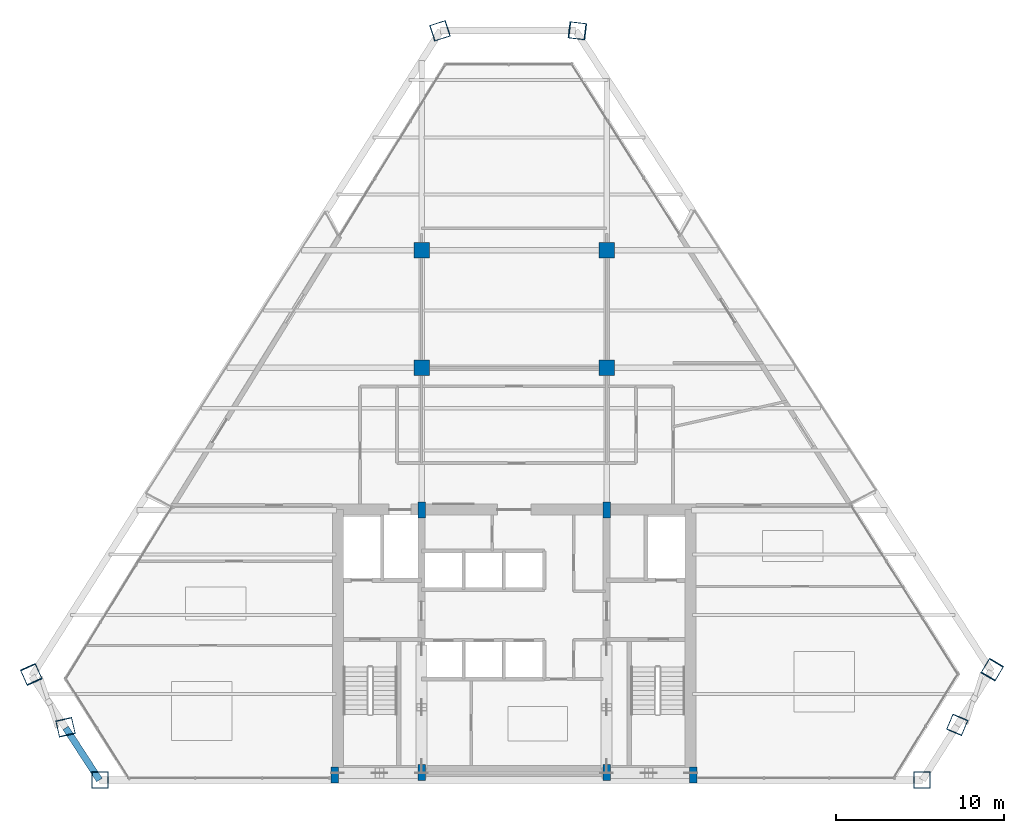
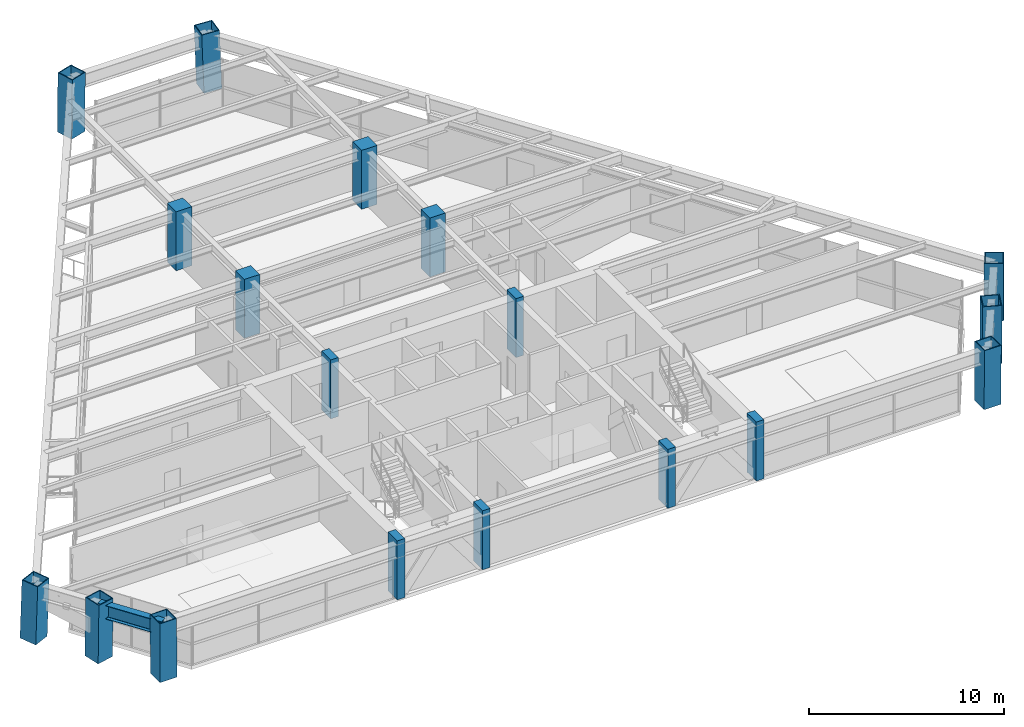
# One storey, part 1 of 15: 18 columns, 1 beam.
"""IFC4 building model written with IfcOpenShell, lengths in metres."""

import ifcopenshell
import ifcopenshell.guid

model = None  # the IFC model being written
_history = None  # IfcOwnerHistory: only IFC2X3 demands one
_inside = {}  # id of a spatial element -> (the spatial element, [elements in it])
_under = {}  # id of a project, library or spatial element -> (it, [spatial elements below it])
_declared = {}  # id of a project -> (the project, [libraries it declares])
_typed = {}  # id of a type object -> (the type object, [elements of that type])
_made_of = {}  # id of a material, layer set ... -> (it, [elements and type objects made of it])


def new_model(schema):
    """Start an empty IFC model of exactly this schema.

    Asked for "IFC4X3", IfcOpenShell would pick the latest addendum, in which some entities
    have other attributes; the version numbers below select the first issue.
    IFC2X3 requires an IfcOwnerHistory on every rooted entity: one is made here for all.
    """
    global model, _history
    if schema == "IFC4X3":
        model = ifcopenshell.file(schema_version=(4, 3, 0, 0))
    else:
        model = ifcopenshell.file(schema=schema)
    _inside.clear()
    _under.clear()
    _declared.clear()
    _typed.clear()
    _made_of.clear()
    _history = None
    if model.schema == "IFC2X3":
        org = make("IfcOrganization", Name="unknown")
        user = make(
            "IfcPersonAndOrganization",
            ThePerson=make("IfcPerson", FamilyName="unknown"),
            TheOrganization=org,
        )
        app = make(
            "IfcApplication",
            ApplicationDeveloper=org,
            Version="unknown",
            ApplicationFullName="unknown",
            ApplicationIdentifier="unknown",
        )
        _history = make(
            "IfcOwnerHistory",
            OwningUser=user,
            OwningApplication=app,
            ChangeAction="ADDED",
            CreationDate=0,
        )
    return model


def make(cls, **values):
    """One entity of the class cls with the attributes given. An attribute that is None is left unset."""
    return model.create_entity(
        cls, **{name: value for name, value in values.items() if value is not None}
    )


def rooted(cls, **values):
    """An entity with a GlobalId (a new one), such as an element, a storey or a relation."""
    return make(cls, GlobalId=ifcopenshell.guid.new(), OwnerHistory=_history, **values)


def si_unit(unit_type, name, prefix=None):
    """IfcSIUnit, for example si_unit("LENGTHUNIT", "METRE", prefix="MILLI")."""
    return make("IfcSIUnit", UnitType=unit_type, Prefix=prefix, Name=name)


def assignment(units):
    """IfcUnitAssignment: the units of a project."""
    return None if units is None else make("IfcUnitAssignment", Units=units)


def point(xyz):
    """IfcCartesianPoint."""
    return None if xyz is None else make("IfcCartesianPoint", Coordinates=xyz)


def direction(xyz):
    """IfcDirection."""
    return None if xyz is None else make("IfcDirection", DirectionRatios=xyz)


def frame(location, z_axis=None, x_axis=None):
    """IfcAxis2Placement3D, a coordinate frame: its origin and axes. An axis left out is left unset."""
    return make(
        "IfcAxis2Placement3D",
        Location=point(location),
        Axis=direction(z_axis),
        RefDirection=direction(x_axis),
    )


def frame_2d(location, x_axis=None):
    """IfcAxis2Placement2D, a coordinate frame in the plane: its origin and x axis."""
    return make(
        "IfcAxis2Placement2D", Location=point(location), RefDirection=direction(x_axis)
    )


def origin():
    """The frame at (0, 0, 0) with its axes left unset."""
    return frame((0.0, 0.0, 0.0))


def origin_2d():
    """The frame at (0, 0) in the plane with its x axis left unset."""
    return frame_2d((0.0, 0.0))


def place(relative_to, where):
    """IfcLocalPlacement: puts the frame where relative to a parent placement (None: the world)."""
    return make(
        "IfcLocalPlacement", PlacementRelTo=relative_to, RelativePlacement=where
    )


def context(
    kind, dimensions, precision=None, world=None, true_north=None, identifier=None
):
    """IfcGeometricRepresentationContext, for example the 3D "Model" context."""
    return make(
        "IfcGeometricRepresentationContext",
        ContextIdentifier=identifier,
        ContextType=kind,
        CoordinateSpaceDimension=dimensions,
        Precision=precision,
        WorldCoordinateSystem=world,
        TrueNorth=true_north,
    )


def subcontext(parent, identifier, kind, view, scale=None):
    """IfcGeometricRepresentationSubContext, for example "Body" below "Model"."""
    return make(
        "IfcGeometricRepresentationSubContext",
        ContextIdentifier=identifier,
        ContextType=kind,
        ParentContext=parent,
        TargetScale=scale,
        TargetView=view,
    )


def project(units=None, contexts=None):
    """IfcProject with its units and contexts."""
    return rooted(
        "IfcProject",
        Name="project",
        RepresentationContexts=contexts,
        UnitsInContext=assignment(units),
    )


def spatial(cls, under=None, at=None, **own):
    """A site, building, storey or space (cls), placed at a placement, below another one or the project."""
    s = rooted(cls, ObjectPlacement=at, **own)
    if under is not None:
        _under.setdefault(under.id(), (under, []))[1].append(s)
    return s


def profile(cls, at=None, kind="AREA", **sizes):
    """A parametric profile (cls). Its sizes go by their IFC names, for example OverallWidth=200.0."""
    return make(cls, ProfileType=kind, Position=at, **sizes)


def rectangle(**sizes):
    """IfcRectangleProfileDef."""
    return profile("IfcRectangleProfileDef", **sizes)


def hollow_rectangle(**sizes):
    """IfcRectangleHollowProfileDef."""
    return profile("IfcRectangleHollowProfileDef", **sizes)


def i_section(**sizes):
    """IfcIShapeProfileDef."""
    return profile("IfcIShapeProfileDef", **sizes)


def extrude(swept, where, along, depth):
    """IfcExtrudedAreaSolid: the profile swept, set in the frame where, extruded along a direction by depth."""
    return make(
        "IfcExtrudedAreaSolid",
        SweptArea=swept,
        Position=where,
        ExtrudedDirection=direction(along),
        Depth=depth,
    )


def shape(context_of_items, identifier, shape_type, items):
    """IfcShapeRepresentation: the items that make up one representation, for example the "Body"."""
    return make(
        "IfcShapeRepresentation",
        ContextOfItems=context_of_items,
        RepresentationIdentifier=identifier,
        RepresentationType=shape_type,
        Items=items,
    )


def source(mapping_origin, context_of_items, identifier, shape_type, items):
    """IfcRepresentationMap: a shape defined once, which mapped items show again and again."""
    return make(
        "IfcRepresentationMap",
        MappingOrigin=mapping_origin,
        MappedRepresentation=shape(context_of_items, identifier, shape_type, items),
    )


def transform(
    local_origin,
    x_axis=None,
    y_axis=None,
    z_axis=None,
    scale=None,
    scale2=None,
    scale3=None,
    uniform=True,
):
    """IfcCartesianTransformationOperator3D, or its non-uniform kind. x_axis, y_axis, z_axis: its Axis1, 2, 3."""
    if uniform:
        return make(
            "IfcCartesianTransformationOperator3D",
            Axis1=direction(x_axis),
            Axis2=direction(y_axis),
            LocalOrigin=point(local_origin),
            Scale=scale,
            Axis3=direction(z_axis),
        )
    return make(
        "IfcCartesianTransformationOperator3DnonUniform",
        Axis1=direction(x_axis),
        Axis2=direction(y_axis),
        LocalOrigin=point(local_origin),
        Scale=scale,
        Axis3=direction(z_axis),
        Scale2=scale2,
        Scale3=scale3,
    )


def mapped(mapping_source, mapping_target):
    """IfcMappedItem: shows the shape of a source again, moved by a transform."""
    return make(
        "IfcMappedItem", MappingSource=mapping_source, MappingTarget=mapping_target
    )


def material(Name=None, Category=None):
    """IfcMaterial."""
    return make("IfcMaterial", Name=Name, Category=Category)


def material_profile(
    of_material, cross_section, Name=None, Category=None, Priority=None
):
    """IfcMaterialProfile: a cross section and its material."""
    return make(
        "IfcMaterialProfile",
        Name=Name,
        Material=of_material,
        Profile=cross_section,
        Priority=Priority,
        Category=Category,
    )


def profile_set(profiles, Name=None, composite=None):
    """IfcMaterialProfileSet."""
    return make(
        "IfcMaterialProfileSet",
        Name=Name,
        MaterialProfiles=profiles,
        CompositeProfile=composite,
    )


def made_of(thing, what):
    """Note that an element or type object is made of a material, layer set ...; save() writes the relation."""
    if what is not None:
        _made_of.setdefault(what.id(), (what, []))[1].append(thing)
    return thing


def type_object(cls, material=None, **own):
    """A type object (cls), such as IfcWallType, which elements share."""
    return made_of(rooted(cls, **own), material)


def type_shapes(of_type, sources):
    """Give a type object the sources (RepresentationMaps) that its elements show as mapped items."""
    of_type.RepresentationMaps = sources


def element(
    cls,
    number,
    at=None,
    inside=None,
    cuts=None,
    type_object=None,
    material=None,
    context=None,
    identifier="Body",
    shape_type=None,
    held_by="IfcProductDefinitionShape",
    body=None,
    shapes=None,
    **own,
):
    """One element of the class cls, such as IfcWall. Its Tag is "e" and its number.

    at: its placement. inside: the storey or other place that contains it. cuts: it is an
    opening in that element (IfcRelVoidsElement). A single representation is given by context,
    identifier, shape_type and body (its items); several are given by shapes. held_by: the class
    of the entity that holds the representations. save() writes the other relations.
    """
    e = rooted(cls, Tag="e%d" % number, ObjectPlacement=at, **own)
    if body is not None:
        shapes = [shape(context, identifier, shape_type, body)]
    if shapes is not None:
        e.Representation = make(held_by, Representations=shapes)
    if inside is not None:
        _inside.setdefault(inside.id(), (inside, []))[1].append(e)
    if cuts is not None:
        rooted(
            "IfcRelVoidsElement", RelatingBuildingElement=cuts, RelatedOpeningElement=e
        )
    if type_object is not None:
        _typed.setdefault(type_object.id(), (type_object, []))[1].append(e)
    return made_of(e, material)


def aggregate(whole, parts):
    """IfcRelAggregates: a whole, such as a stair, and the parts it consists of."""
    return rooted("IfcRelAggregates", RelatingObject=whole, RelatedObjects=parts)


def save(model, path):
    """Write the relations noted so far, then the file.

    IfcRelAggregates (storeys below a building ...), IfcRelContainedInSpatialStructure (elements
    in a storey), IfcRelDefinesByType, IfcRelAssociatesMaterial and IfcRelDeclares: one each for
    every whole, place, type object, material and project.
    """
    for whole, parts in _under.values():
        aggregate(whole, parts)
    for where, things in _inside.values():
        rooted(
            "IfcRelContainedInSpatialStructure",
            RelatedElements=things,
            RelatingStructure=where,
        )
    for kind, things in _typed.values():
        rooted("IfcRelDefinesByType", RelatedObjects=things, RelatingType=kind)
    for what, things in _made_of.values():
        rooted("IfcRelAssociatesMaterial", RelatedObjects=things, RelatingMaterial=what)
    for by, libraries in _declared.values():
        rooted("IfcRelDeclares", RelatingContext=by, RelatedDefinitions=libraries)
    model.write(path)


model = new_model("IFC4")

# Units and contexts
model_context = context("Model", 3, precision=1e-05, world=origin(), true_north=direction((0.0, 1.0)))
body_context = subcontext(model_context, "Body", "Model", "MODEL_VIEW")
ifc_project = project(units=[si_unit("LENGTHUNIT", "METRE"), si_unit("AREAUNIT", "SQUARE_METRE"), si_unit("VOLUMEUNIT", "CUBIC_METRE"), si_unit("PLANEANGLEUNIT", "RADIAN"), si_unit("MASSUNIT", "GRAM", prefix="KILO")], contexts=[model_context])

# Site, building, storey
site_placement = place(None, origin())
site = spatial("IfcSite", under=ifc_project, at=site_placement, CompositionType="ELEMENT")
building_placement = place(site_placement, origin())
building = spatial("IfcBuilding", under=site, at=building_placement, Name="Varnakhor Terracotta Tower", CompositionType="ELEMENT")
storey_placement = place(building_placement, frame((0.0, 0.0, 189.5)))
storey = spatial("IfcBuildingStorey", under=building, at=storey_placement, Name="L48", CompositionType="ELEMENT", Elevation=189.5)

# Columns
ifc_material_1 = material(Name="Concrete C50/60", Category="concrete")
ifc_material_profile_1 = material_profile(ifc_material_1, rectangle(XDim=0.449951171875, YDim=0.949951171875, at=origin_2d()), Name="RC PILASTER 950x450")
ifc_profile_set_1 = profile_set([ifc_material_profile_1], Name="Concrete C50/60")
column_type_1 = type_object("IfcColumnType", Name="COL-PIL-950x450", PredefinedType="PILASTER", material=ifc_profile_set_1)
shared_shape_1 = source(origin(), body_context, "Body", "SweptSolid", [
    extrude(rectangle(XDim=0.449951171875, YDim=0.949951171875, at=origin_2d()), origin(), (0.0, 0.0, 1.0), 3.699951171875),
])
for number, where, z_axis, x_axis, name in (
    (1, (-10.64990234375, 0.300048828125, 0.0), (0.0, 0.0, 1.0), (1.0, 0.0, 0.0), "L48 Core Pilaster CP1"),
    (2, (-5.5, 0.449951171875, 0.0), (0.0, 0.0, 1.0), (1.0, 0.0, 0.0), "L48 Core Pilaster CP2"),
    (3, (5.5, 0.449951171875, 0.0), (0.0, 0.0, 1.0), (1.0, 0.0, 0.0), "L48 Core Pilaster CP3"),
    (4, (10.64990234375, 0.300048828125, 0.0), (0.0, 0.0, 1.0), (1.0, 0.0, 0.0), "L48 Core Pilaster CP4"),
    (5, (-5.5, 16.050048828125, 0.0), (0.0, 0.0, 1.0), (1.0, 0.0, 0.0), "L48 Core Pilaster CP5"),
    (6, (5.5, 16.050048828125, 0.0), (0.0, 0.0, 1.0), (1.0, 0.0, 0.0), "L48 Core Pilaster CP6"),
):
    element("IfcColumn", number, at=place(storey_placement, frame(where, z_axis=z_axis, x_axis=x_axis)), inside=storey, type_object=column_type_1, Name=name, PredefinedType="PILASTER", context=body_context, shape_type="MappedRepresentation", body=[
        mapped(shared_shape_1, transform((0.0, 0.0, 0.0), scale=1.0)),
    ])
ifc_material_profile_2 = material_profile(ifc_material_1, rectangle(XDim=0.919921875, YDim=0.919921875, at=origin_2d()), Name="RC 920x920")
ifc_profile_set_2 = profile_set([ifc_material_profile_2], Name="Concrete C50/60")
column_type_2 = type_object("IfcColumnType", Name="COL-RC-920", PredefinedType="COLUMN", material=ifc_profile_set_2)
shared_shape_2 = source(origin(), body_context, "Body", "SweptSolid", [
    extrude(rectangle(XDim=0.919921875, YDim=0.919921875, at=origin_2d()), origin(), (0.0, 0.0, 1.0), 3.699951171875),
])
for number, where, z_axis, x_axis, name in (
    (7, (-5.5, 24.5, 0.0), (0.0, 0.0, 1.0), (1.0, 0.0, 0.0), "L48 Interior Tower Column IC1"),
    (8, (5.5, 24.5, 0.0), (0.0, 0.0, 1.0), (1.0, 0.0, 0.0), "L48 Interior Tower Column IC2"),
    (9, (-5.5, 31.5, 0.0), (0.0, 0.0, 1.0), (1.0, 0.0, 0.0), "L48 Interior Tower Column IC3"),
    (10, (5.5, 31.5, 0.0), (0.0, 0.0, 1.0), (1.0, 0.0, 0.0), "L48 Interior Tower Column IC4"),
):
    element("IfcColumn", number, at=place(storey_placement, frame(where, z_axis=z_axis, x_axis=x_axis)), inside=storey, type_object=column_type_2, Name=name, PredefinedType="COLUMN", context=body_context, shape_type="MappedRepresentation", body=[
        mapped(shared_shape_2, transform((0.0, 0.0, 0.0), scale=1.0)),
    ])
ifc_material_2 = material(Name="Steel S460", Category="steel")
ifc_material_profile_3 = material_profile(ifc_material_2, hollow_rectangle(XDim=1.0, YDim=1.0, WallThickness=0.050048828125, at=origin_2d()), Name="BOX 1000x1000x50")
ifc_profile_set_3 = profile_set([ifc_material_profile_3], Name="Steel S460")
column_type_3 = type_object("IfcColumnType", Name="COL-MEGA-1000", PredefinedType="COLUMN", material=ifc_profile_set_3)
shared_shape_3 = source(origin(), body_context, "Body", "SweptSolid", [
    extrude(hollow_rectangle(XDim=1.0, YDim=1.0, WallThickness=0.050048828125, at=origin_2d()), origin(), (0.0, 0.0, 1.0), 3.69140625),
])
type_shapes(column_type_3, [shared_shape_3])
column_placement = place(storey_placement, frame((-4.41162109375, 44.53564453125, 0.00439453125), z_axis=(0.012830372399, 0.004100428292, 0.999909279901), x_axis=(-0.304419392988, 0.952538100641, 0.0)))
element("IfcColumn", 11, at=column_placement, inside=storey, type_object=column_type_3, Name="L48 Perimeter Mega-Column M6", PredefinedType="COLUMN", context=body_context, shape_type="MappedRepresentation", body=[
    mapped(shared_shape_3, transform((0.0, 0.0, 0.0), scale=1.0)),
])
shared_shape_4 = source(origin(), body_context, "Body", "SweptSolid", [
    extrude(hollow_rectangle(XDim=1.0, YDim=1.0, WallThickness=0.050048828125, at=origin_2d()), origin(), (0.0, 0.0, 1.0), 3.691162109375),
])
for number, where, z_axis, x_axis, name in (
    (12, (-24.6220703125, 0.0, 0.00439453125), (-0.006878599086, 0.0, 0.999976342157), (0.0, -1.0, 0.0), "L48 Perimeter Mega-Column M1"),
    (13, (24.257568359375, 0.0, 0.00439453125), (0.005026723977, 0.0, 0.999987365943), (0.0, 1.0, 0.0), "L48 Perimeter Mega-Column M2"),
):
    element("IfcColumn", number, at=place(storey_placement, frame(where, z_axis=z_axis, x_axis=x_axis)), inside=storey, type_object=column_type_3, Name=name, PredefinedType="COLUMN", context=body_context, shape_type="MappedRepresentation", body=[
        mapped(shared_shape_4, transform((0.0, 0.0, 0.0), scale=1.0)),
    ])
shared_shape_5 = source(origin(), body_context, "Body", "SweptSolid", [
    extrude(hollow_rectangle(XDim=1.0, YDim=1.0, WallThickness=0.050048828125, at=origin_2d()), origin(), (0.0, 0.0, 1.0), 3.691650390625),
])
for number, where, z_axis, x_axis, name in (
    (14, (26.347412109375, 3.2890625, 0.00439453125), (-0.006150427094, -0.014615531051, 0.999874271345), (0.921713862649, -0.387870539486, 0.0), "L48 Perimeter Mega-Column M3"),
    (15, (-26.666259765625, 3.147216796875, 0.00439453125), (0.003505085112, -0.015409147757, 0.999875128475), (0.975091729555, 0.221801981401, 0.0), "L48 Perimeter Mega-Column M8"),
):
    element("IfcColumn", number, at=place(storey_placement, frame(where, z_axis=z_axis, x_axis=x_axis)), inside=storey, type_object=column_type_3, Name=name, PredefinedType="COLUMN", context=body_context, shape_type="MappedRepresentation", body=[
        mapped(shared_shape_5, transform((0.0, 0.0, 0.0), scale=1.0)),
    ])
shared_shape_6 = source(origin(), body_context, "Body", "SweptSolid", [
    extrude(hollow_rectangle(XDim=1.0, YDim=1.0, WallThickness=0.050048828125, at=origin_2d()), origin(), (0.0, 0.0, 1.0), 3.693359375),
])
for number, where, z_axis, x_axis, name in (
    (16, (28.437255859375, 6.577880859375, 0.00439453125), (-0.017385307123, -0.029151788749, 0.999423796149), (0.858864597883, -0.512202696697, 0.0), "L48 Perimeter Mega-Column M4"),
    (17, (3.783203125, 44.53564453125, 0.00439453125), (-0.034505243159, 0.0040983239, 0.999396113629), (-0.117944920678, -0.993020138611, 0.0), "L48 Perimeter Mega-Column M5"),
    (18, (-28.710205078125, 6.294189453125, 0.00439453125), (0.01374972151, -0.030738560106, 0.999432882229), (0.91283750798, 0.408323014322, 0.0), "L48 Perimeter Mega-Column M7"),
):
    element("IfcColumn", number, at=place(storey_placement, frame(where, z_axis=z_axis, x_axis=x_axis)), inside=storey, type_object=column_type_3, Name=name, PredefinedType="COLUMN", context=body_context, shape_type="MappedRepresentation", body=[
        mapped(shared_shape_6, transform((0.0, 0.0, 0.0), scale=1.0)),
    ])

# Beam
ifc_material_3 = material(Name="Steel S355", Category="steel")
ifc_material_profile_4 = material_profile(ifc_material_3, i_section(OverallWidth=0.39990234375, OverallDepth=0.85498046875, WebThickness=0.01806640625, FlangeThickness=0.029052734375, FilletRadius=0.01806640625, at=origin_2d()), Name="W33X201")
ifc_profile_set_4 = profile_set([ifc_material_profile_4], Name="Steel S355")
beam_type = type_object("IfcBeamType", Name="BM-W33X201", PredefinedType="BEAM", material=ifc_profile_set_4)
shared_shape_7 = source(origin(), body_context, "Body", "SweptSolid", [
    extrude(i_section(OverallWidth=0.39990234375, OverallDepth=0.85498046875, WebThickness=0.01806640625, FlangeThickness=0.029052734375, FilletRadius=0.01806640625, at=origin_2d()), origin(), (0.0, 0.0, 1.0), 3.684326171875),
])
beam_placement = place(storey_placement, frame((-26.6533203125, 3.09033203125, 3.04248046875), z_axis=(0.544443198763, -0.838797712992, 0.0), x_axis=(0.838797712992, 0.544443198763, 0.0)))
element("IfcBeam", 19, at=beam_placement, inside=storey, type_object=beam_type, Name="L48 Perimeter Spandrel 8", PredefinedType="BEAM", context=body_context, shape_type="MappedRepresentation", body=[
    mapped(shared_shape_7, transform((0.0, 0.0, 0.0), scale=1.0)),
])

save(model, "model.ifc")
